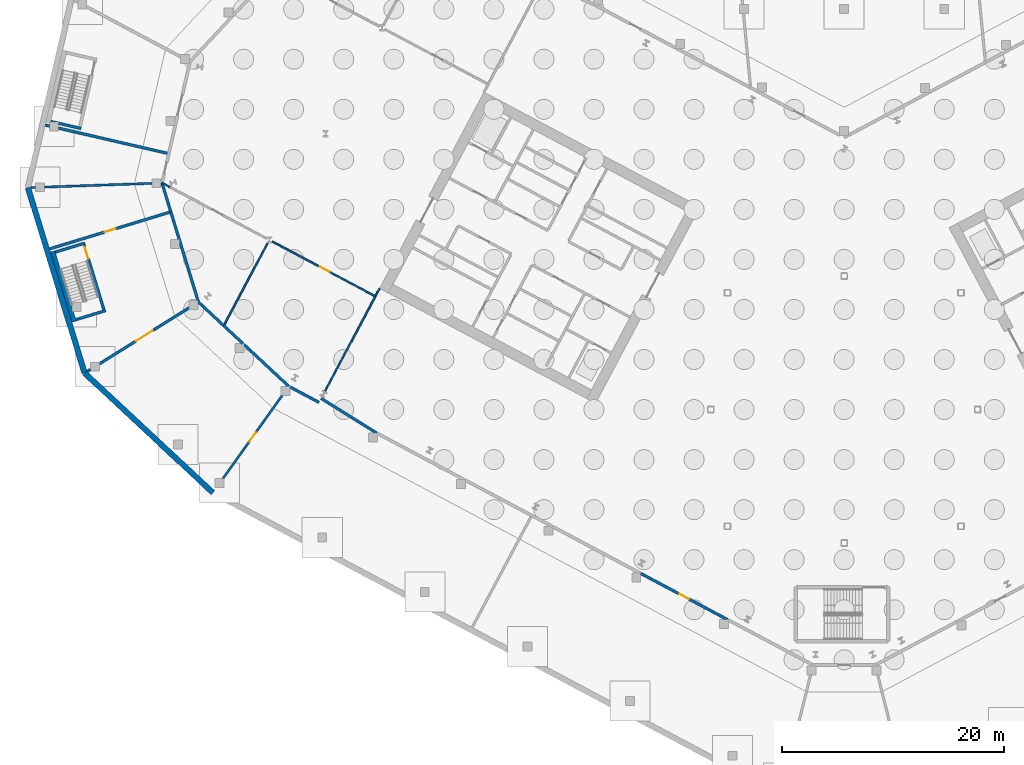
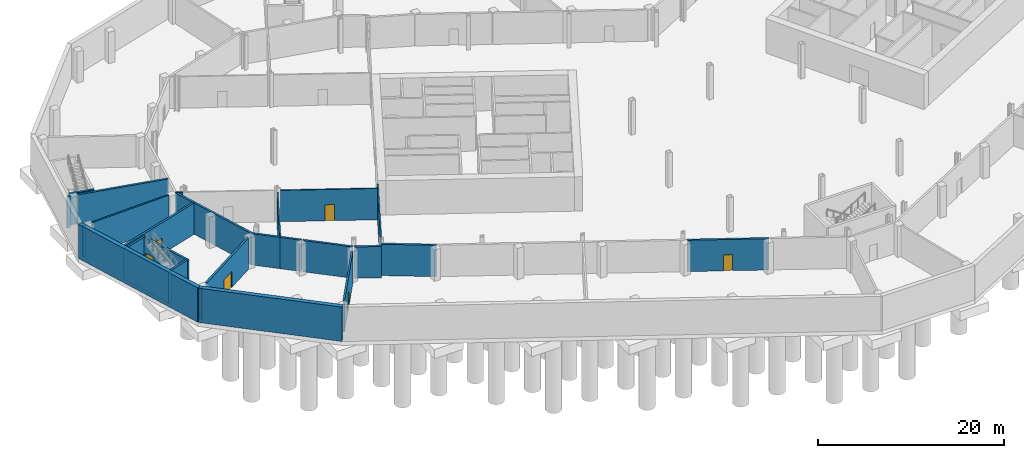
# One storey, part 9 of 29: 28 walls, 6 doors, 6 openings.
"""IFC4 building model written with IfcOpenShell, lengths in metres."""

from ifc_helpers import new_model, si_unit, direction, frame, frame_2d, origin, place, context, subcontext, project, spatial, rectangle, extrude, material, layer, layer_set, type_object, element, fill, save


model = new_model("IFC4")

# Units and contexts
model_context = context("Model", 3, precision=1e-05, world=origin(), true_north=direction((0.0, 1.0)))
body_context = subcontext(model_context, "Body", "Model", "MODEL_VIEW")
ifc_project = project(units=[si_unit("LENGTHUNIT", "METRE"), si_unit("AREAUNIT", "SQUARE_METRE"), si_unit("VOLUMEUNIT", "CUBIC_METRE"), si_unit("PLANEANGLEUNIT", "RADIAN"), si_unit("MASSUNIT", "GRAM", prefix="KILO")], contexts=[model_context])

# Site, building, storey
site_placement = place(None, origin())
site = spatial("IfcSite", under=ifc_project, at=site_placement, CompositionType="ELEMENT")
building_placement = place(site_placement, origin())
building = spatial("IfcBuilding", under=site, at=building_placement, Name="Cormorant Relay Tower", CompositionType="ELEMENT")
storey_placement = place(building_placement, frame((0.0, 0.0, -9.0)))
storey = spatial("IfcBuildingStorey", under=building, at=storey_placement, Name="B2", CompositionType="ELEMENT", Elevation=-9.0)

# Walls
ifc_material_1 = material(Name="Concrete masonry 20 MPa", Category="masonry")
ifc_layer_1 = layer(ifc_material_1, 0.25)
ifc_layer_set_1 = layer_set([ifc_layer_1], Name="Fire separation wall 250")
wall_type_1 = type_object("IfcWallType", Name="Fire separation wall 250", PredefinedType="SOLIDWALL", material=ifc_layer_set_1)
wall_1_placement = place(storey_placement, frame((-71.83837890625, 25.578857421875, 0.0), z_axis=(0.0, 0.0, 1.0), x_axis=(0.974472286972, -0.22450782152, 0.0)))
element("IfcWall", 1, at=wall_1_placement, inside=storey, type_object=wall_type_1, Name="Partition", PredefinedType="SOLIDWALL", context=body_context, shape_type="SweptSolid", body=[
    extrude(rectangle(XDim=0.405517578125, YDim=0.25, at=frame_2d((0.20263671875, 0.0))), origin(), (0.0, 0.0, 1.0), 4.10009765625),
])
wall_2_placement = place(storey_placement, frame((-70.64306640625, 25.302978515625, 0.0), z_axis=(0.0, 0.0, 1.0), x_axis=(0.974368540913, -0.224957654857, 0.0)))
element("IfcWall", 2, at=wall_2_placement, inside=storey, type_object=wall_type_1, Name="Partition", PredefinedType="SOLIDWALL", context=body_context, shape_type="SweptSolid", body=[
    extrude(rectangle(XDim=10.17333984375, YDim=0.25, at=frame_2d((5.086669921875, 0.0))), origin(), (0.0, 0.0, 1.0), 4.10009765625),
])

# Wall, opening, door
wall_3_placement = place(storey_placement, frame((-71.449462890625, 14.444580078125, 0.0), z_axis=(0.0, 0.0, 1.0), x_axis=(0.956305341867, 0.292369788309, 0.0)))
wall_3 = element("IfcWall", 3, at=wall_3_placement, inside=storey, type_object=wall_type_1, Name="Partition", PredefinedType="SOLIDWALL", context=body_context, shape_type="SweptSolid", body=[
    extrude(rectangle(XDim=11.39990234375, YDim=0.25, at=frame_2d((5.699951171875, 0.0))), origin(), (0.0, 0.0, 1.0), 4.10009765625),
])
opening_1_placement = place(wall_3_placement, frame((5.199951171875, 0.0, 0.0)))
opening_1 = element("IfcOpeningElement", 4, at=opening_1_placement, cuts=wall_3, Name="Opening PD1-016", PredefinedType="OPENING", context=body_context, shape_type="SweptSolid", body=[
    extrude(rectangle(XDim=1.0, YDim=2.10009765625, at=frame_2d((0.5, 1.050048828125))), frame((0.0, 0.135009765625, 0.0), z_axis=(0.0, -1.0, 0.0), x_axis=(1.0, 0.0, 0.0)), (0.0, 0.0, 1.0), 0.27001953125),
])
ifc_material_2 = material(Name="Steel door leaf", Category="steel")
door_type_1 = type_object("IfcDoorType", Name="Door single 1000", OperationType="SINGLE_SWING_LEFT", PredefinedType="DOOR", material=ifc_material_2)
door_1_placement = place(opening_1_placement, origin())
door_1 = element("IfcDoor", 5, at=door_1_placement, inside=storey, type_object=door_type_1, Name="Door", OperationType="SINGLE_SWING_RIGHT", OverallHeight=2.10009765625, OverallWidth=1.0, PredefinedType="DOOR", context=body_context, shape_type="SweptSolid", body=[
    extrude(rectangle(XDim=1.0, YDim=2.10009765625, at=frame_2d((0.5, 1.050048828125))), frame((0.0, 0.02490234375, 0.0), z_axis=(0.0, -1.0, 0.0), x_axis=(1.0, 0.0, 0.0)), (0.0, 0.0, 1.0), 0.050048828125),
])
fill(opening_1, door_1)

# Walls
wall_4_placement = place(storey_placement, frame((-60.54931640625, 17.783447265625, 0.0), z_axis=(0.0, 0.0, 1.0), x_axis=(-0.291634808329, 0.956529737421, 0.0)))
element("IfcWall", 6, at=wall_4_placement, inside=storey, type_object=wall_type_1, Name="Partition", PredefinedType="SOLIDWALL", context=body_context, shape_type="SweptSolid", body=[
    extrude(rectangle(XDim=2.709716796875, YDim=0.25, at=frame_2d((1.35498046875, 0.0))), origin(), (0.0, 0.0, 1.0), 4.10009765625),
])
wall_5_placement = place(storey_placement, frame((-58.0654296875, 9.666015625, 0.0), z_axis=(0.0, 0.0, 1.0), x_axis=(-0.292613894095, 0.956230677704, 0.0)))
element("IfcWall", 7, at=wall_5_placement, inside=storey, type_object=wall_type_1, Name="Partition", PredefinedType="SOLIDWALL", context=body_context, shape_type="SweptSolid", body=[
    extrude(rectangle(XDim=8.487060546875, YDim=0.25, at=frame_2d((4.24365234375, 0.0))), origin(), (0.0, 0.0, 1.0), 4.10009765625),
])
wall_6_placement = place(storey_placement, frame((-68.0517578125, 3.430419921875, 0.0), z_axis=(0.0, 0.0, 1.0), x_axis=(0.847914279888, 0.530133354886, 0.0)))
element("IfcWall", 8, at=wall_6_placement, inside=storey, type_object=wall_type_1, Name="Partition", PredefinedType="SOLIDWALL", context=body_context, shape_type="SweptSolid", body=[
    extrude(rectangle(XDim=0.326416015625, YDim=0.25, at=frame_2d((0.1630859375, 0.0))), origin(), (0.0, 0.0, 1.0), 4.10009765625),
])

# Wall, opening, door
wall_7_placement = place(storey_placement, frame((-66.97509765625, 4.103271484375, 0.0), z_axis=(0.0, 0.0, 1.0), x_axis=(0.848048758951, 0.529918203539, 0.0)))
wall_7 = element("IfcWall", 9, at=wall_7_placement, inside=storey, type_object=wall_type_1, Name="Partition", PredefinedType="SOLIDWALL", context=body_context, shape_type="SweptSolid", body=[
    extrude(rectangle(XDim=9.513671875, YDim=0.25, at=frame_2d((4.7568359375, 0.0))), origin(), (0.0, 0.0, 1.0), 4.10009765625),
])
opening_2_placement = place(wall_7_placement, frame((3.85693359375, 0.0, 0.0)))
opening_2 = element("IfcOpeningElement", 10, at=opening_2_placement, cuts=wall_7, Name="Opening PD3-004", PredefinedType="OPENING", context=body_context, shape_type="SweptSolid", body=[
    extrude(rectangle(XDim=1.800048828125, YDim=2.10009765625, at=frame_2d((0.89990234375, 1.050048828125))), frame((0.0, 0.135009765625, 0.0), z_axis=(0.0, -1.0, 0.0), x_axis=(1.0, 0.0, 0.0)), (0.0, 0.0, 1.0), 0.27001953125),
])
ifc_material_3 = material(Name="Steel door leaf", Category="steel")
door_type_2 = type_object("IfcDoorType", Name="Door double 1800", OperationType="DOUBLE_DOOR_SINGLE_SWING", PredefinedType="DOOR", material=ifc_material_3)
door_2_placement = place(opening_2_placement, origin())
door_2 = element("IfcDoor", 11, at=door_2_placement, inside=storey, type_object=door_type_2, Name="Door", OperationType="DOUBLE_DOOR_SINGLE_SWING", OverallHeight=2.10009765625, OverallWidth=1.800048828125, PredefinedType="DOOR", context=body_context, shape_type="SweptSolid", body=[
    extrude(rectangle(XDim=1.800048828125, YDim=2.10009765625, at=frame_2d((0.89990234375, 1.050048828125))), frame((0.0, 0.02490234375, 0.0), z_axis=(0.0, -1.0, 0.0), x_axis=(1.0, 0.0, 0.0)), (0.0, 0.0, 1.0), 0.050048828125),
])
fill(opening_2, door_2)

# Walls
wall_8_placement = place(storey_placement, frame((-47.224365234375, 0.64599609375, 0.0), z_axis=(0.0, 0.0, 1.0), x_axis=(-0.882766080441, 0.469812778905, 0.0)))
element("IfcWall", 12, at=wall_8_placement, inside=storey, type_object=wall_type_1, Name="Partition", PredefinedType="SOLIDWALL", context=body_context, shape_type="SweptSolid", body=[
    extrude(rectangle(XDim=2.95849609375, YDim=0.25, at=frame_2d((1.479248046875, 0.0))), origin(), (0.0, 0.0, 1.0), 4.10009765625),
])
wall_9_placement = place(storey_placement, frame((-42.037109375, -2.112060546875, 0.0), z_axis=(0.0, 0.0, 1.0), x_axis=(-0.848449825707, 0.529275819642, 0.0)))
element("IfcWall", 13, at=wall_9_placement, inside=storey, type_object=wall_type_1, Name="Partition", PredefinedType="SOLIDWALL", context=body_context, shape_type="SweptSolid", body=[
    extrude(rectangle(XDim=5.88916015625, YDim=0.25, at=frame_2d((2.944580078125, 0.0))), origin(), (0.0, 0.0, 1.0), 4.10009765625),
])

# Wall, opening, door
wall_10_placement = place(storey_placement, frame((-10.49267578125, -18.883056640625, 0.0), z_axis=(0.0, 0.0, 1.0), x_axis=(-0.882973285467, 0.469423238828, 0.0)))
wall_10 = element("IfcWall", 14, at=wall_10_placement, inside=storey, type_object=wall_type_1, Name="Partition", PredefinedType="SOLIDWALL", context=body_context, shape_type="SweptSolid", body=[
    extrude(rectangle(XDim=8.835205078125, YDim=0.25, at=frame_2d((4.41748046875, 0.0))), origin(), (0.0, 0.0, 1.0), 4.10009765625),
])
opening_3_placement = place(wall_10_placement, frame((3.91796875, 0.0, 0.0)))
opening_3 = element("IfcOpeningElement", 15, at=opening_3_placement, cuts=wall_10, Name="Opening PD1-006", PredefinedType="OPENING", context=body_context, shape_type="SweptSolid", body=[
    extrude(rectangle(XDim=1.0, YDim=2.10009765625, at=frame_2d((0.5, 1.050048828125))), frame((0.0, 0.135009765625, 0.0), z_axis=(0.0, -1.0, 0.0), x_axis=(1.0, 0.0, 0.0)), (0.0, 0.0, 1.0), 0.27001953125),
])
door_3_placement = place(opening_3_placement, origin())
door_3 = element("IfcDoor", 16, at=door_3_placement, inside=storey, type_object=door_type_1, Name="Door", OperationType="SINGLE_SWING_LEFT", OverallHeight=2.10009765625, OverallWidth=1.0, PredefinedType="DOOR", context=body_context, shape_type="SweptSolid", body=[
    extrude(rectangle(XDim=1.0, YDim=2.10009765625, at=frame_2d((0.5, 1.050048828125))), frame((0.0, 0.02490234375, 0.0), z_axis=(0.0, -1.0, 0.0), x_axis=(1.0, 0.0, 0.0)), (0.0, 0.0, 1.0), 0.050048828125),
])
fill(opening_3, door_3)

# Walls
wall_11_placement = place(storey_placement, frame((-55.78466796875, 7.5390625, 0.0), z_axis=(0.0, 0.0, 1.0), x_axis=(0.731373339026, -0.681977300914, 0.0)))
element("IfcWall", 17, at=wall_11_placement, inside=storey, type_object=wall_type_1, Name="Partition", PredefinedType="SOLIDWALL", context=body_context, shape_type="SweptSolid", body=[
    extrude(rectangle(XDim=2.34765625, YDim=0.25, at=frame_2d((1.173828125, 0.0))), origin(), (0.0, 0.0, 1.0), 4.10009765625),
])
wall_12_placement = place(storey_placement, frame((-53.971923828125, 5.848876953125, 0.0), z_axis=(0.0, 0.0, 1.0), x_axis=(0.731317536597, -0.682037140239, 0.0)))
element("IfcWall", 18, at=wall_12_placement, inside=storey, type_object=wall_type_1, Name="Partition", PredefinedType="SOLIDWALL", context=body_context, shape_type="SweptSolid", body=[
    extrude(rectangle(XDim=5.509033203125, YDim=0.25, at=frame_2d((2.75439453125, 0.0))), origin(), (0.0, 0.0, 1.0), 4.10009765625),
])
wall_13_placement = place(storey_placement, frame((-58.068359375, 9.668701171875, 0.0), z_axis=(0.0, 0.0, 1.0), x_axis=(0.731356961262, -0.681994864507, 0.0)))
element("IfcWall", 19, at=wall_13_placement, inside=storey, type_object=wall_type_1, Name="Partition", PredefinedType="SOLIDWALL", context=body_context, shape_type="SweptSolid", body=[
    extrude(rectangle(XDim=3.120849609375, YDim=0.25, at=frame_2d((1.560546875, 0.0))), origin(), (0.0, 0.0, 1.0), 4.10009765625),
])
for number, where, z_axis, x_axis, name in (
    (20, (-71.35302734375, 25.903076171875, 0.0), (0.0, 0.0, 1.0), (0.974369148124, -0.224955024802, 0.0), "Stair enclosure wall"),
    (21, (-70.942626953125, 14.1552734375, 0.0), (0.0, 0.0, 1.0), (0.95631095062, 0.292351442144, 0.0), "Stair enclosure wall"),
    (22, (-69.086181640625, 8.08251953125, 0.0), (0.0, 0.0, 1.0), (0.956286571153, 0.29243117794, 0.0), "Stair enclosure wall"),
):
    element("IfcWall", number, at=place(storey_placement, frame(where, z_axis=z_axis, x_axis=x_axis)), inside=storey, type_object=wall_type_1, Name=name, PredefinedType="SOLIDWALL", context=body_context, shape_type="SweptSolid", body=[
        extrude(rectangle(XDim=2.800048828125, YDim=0.25, at=frame_2d((1.39990234375, 0.0))), origin(), (0.0, 0.0, 1.0), 4.10009765625),
    ])

# Wall, opening, door
wall_14_placement = place(storey_placement, frame((-68.421142578125, 15.056884765625, 0.0), z_axis=(0.0, 0.0, 1.0), x_axis=(0.292369833763, -0.956305327971, 0.0)))
wall_14 = element("IfcWall", 23, at=wall_14_placement, inside=storey, type_object=wall_type_1, Name="Stair enclosure wall", PredefinedType="SOLIDWALL", context=body_context, shape_type="SweptSolid", body=[
    extrude(rectangle(XDim=6.60009765625, YDim=0.25, at=frame_2d((3.300048828125, 0.0))), origin(), (0.0, 0.0, 1.0), 4.10009765625),
])
opening_4_placement = place(wall_14_placement, frame((0.449951171875, 0.0, 0.0)))
opening_4 = element("IfcOpeningElement", 24, at=opening_4_placement, cuts=wall_14, Name="Opening PD10-004", PredefinedType="OPENING", context=body_context, shape_type="SweptSolid", body=[
    extrude(rectangle(XDim=1.10009765625, YDim=2.10009765625, at=frame_2d((0.550048828125, 1.050048828125))), frame((0.0, 0.135009765625, 0.0), z_axis=(0.0, -1.0, 0.0), x_axis=(1.0, 0.0, 0.0)), (0.0, 0.0, 1.0), 0.27001953125),
])
ifc_material_4 = material(Name="Steel fire door leaf", Category="steel")
door_type_3 = type_object("IfcDoorType", Name="Door stair 1100", OperationType="SINGLE_SWING_LEFT", PredefinedType="DOOR", material=ifc_material_4)
door_4_placement = place(opening_4_placement, origin())
door_4 = element("IfcDoor", 25, at=door_4_placement, inside=storey, type_object=door_type_3, Name="Stair door", OperationType="SINGLE_SWING_LEFT", OverallHeight=2.10009765625, OverallWidth=1.10009765625, PredefinedType="DOOR", context=body_context, shape_type="SweptSolid", body=[
    extrude(rectangle(XDim=1.10009765625, YDim=2.10009765625, at=frame_2d((0.550048828125, 1.050048828125))), frame((0.0, 0.02490234375, 0.0), z_axis=(0.0, -1.0, 0.0), x_axis=(1.0, 0.0, 0.0)), (0.0, 0.0, 1.0), 0.050048828125),
])
fill(opening_4, door_4)

ifc_material_5 = material(Name="Gypsum board on steel stud", Category="steel")
ifc_layer_2 = layer(ifc_material_5, 0.14990234375)
ifc_layer_set_2 = layer_set([ifc_layer_2], Name="Partition 150")
wall_type_2 = type_object("IfcWallType", Name="Partition 150", PredefinedType="PARTITIONING", material=ifc_layer_set_2)
wall_15_placement = place(storey_placement, frame((-51.427490234375, 15.11279296875, 0.0), z_axis=(0.0, 0.0, 1.0), x_axis=(0.882942303397, -0.469481510681, 0.0)))
wall_15 = element("IfcWall", 26, at=wall_15_placement, inside=storey, type_object=wall_type_2, Name="Partition", PredefinedType="PARTITIONING", context=body_context, shape_type="SweptSolid", body=[
    extrude(rectangle(XDim=10.5029296875, YDim=0.14990234375, at=frame_2d((5.25146484375, 0.0))), origin(), (0.0, 0.0, 1.0), 4.10009765625),
])
opening_5_placement = place(wall_15_placement, frame((4.82958984375, 0.0, 0.0)))
opening_5 = element("IfcOpeningElement", 27, at=opening_5_placement, cuts=wall_15, Name="Opening PD1-017", PredefinedType="OPENING", context=body_context, shape_type="SweptSolid", body=[
    extrude(rectangle(XDim=1.0, YDim=2.10009765625, at=frame_2d((0.5, 1.050048828125))), frame((0.0, 0.0849609375, 0.0), z_axis=(0.0, -1.0, 0.0), x_axis=(1.0, 0.0, 0.0)), (0.0, 0.0, 1.0), 0.169921875),
])
door_5_placement = place(opening_5_placement, frame((1.0, 0.0, 0.0), z_axis=(0.0, 0.0, 1.0), x_axis=(-1.0, 0.0, 0.0)))
door_5 = element("IfcDoor", 28, at=door_5_placement, inside=storey, type_object=door_type_1, Name="Door", OperationType="SINGLE_SWING_LEFT", OverallHeight=2.10009765625, OverallWidth=1.0, PredefinedType="DOOR", context=body_context, shape_type="SweptSolid", body=[
    extrude(rectangle(XDim=1.0, YDim=2.10009765625, at=frame_2d((0.5, 1.050048828125))), frame((0.0, 0.02490234375, 0.0), z_axis=(0.0, -1.0, 0.0), x_axis=(1.0, 0.0, 0.0)), (0.0, 0.0, 1.0), 0.050048828125),
])
fill(opening_5, door_5)

# Walls
wall_16_placement = place(storey_placement, frame((-61.338134765625, 20.38232421875, 0.0), z_axis=(0.0, 0.0, 1.0), x_axis=(0.882969363327, -0.4694306162, 0.0)))
element("IfcWall", 29, at=wall_16_placement, inside=storey, type_object=wall_type_2, Name="Partition", PredefinedType="PARTITIONING", context=body_context, shape_type="SweptSolid", body=[
    extrude(rectangle(XDim=0.79931640625, YDim=0.14990234375, at=frame_2d((0.399658203125, 0.0))), origin(), (0.0, 0.0, 1.0), 4.10009765625),
])
wall_17_placement = place(storey_placement, frame((-42.1513671875, 10.187255859375, 0.0), z_axis=(0.0, 0.0, 1.0), x_axis=(0.469582372655, 0.882888665287, 0.0)))
element("IfcWall", 30, at=wall_17_placement, inside=storey, type_object=wall_type_2, Name="Partition", PredefinedType="PARTITIONING", context=body_context, shape_type="SweptSolid", body=[
    extrude(rectangle(XDim=0.7939453125, YDim=0.14990234375, at=frame_2d((0.39697265625, 0.0))), origin(), (0.0, 0.0, 1.0), 4.10009765625),
])
wall_18_placement = place(storey_placement, frame((-51.858154296875, 14.93603515625, 0.0), z_axis=(0.0, 0.0, 1.0), x_axis=(-0.469478534594, -0.882943885848, 0.0)))
element("IfcWall", 31, at=wall_18_placement, inside=storey, type_object=wall_type_2, Name="Partition", PredefinedType="PARTITIONING", context=body_context, shape_type="SweptSolid", body=[
    extrude(rectangle(XDim=8.372802734375, YDim=0.14990234375, at=frame_2d((4.1865234375, 0.0))), origin(), (0.0, 0.0, 1.0), 4.10009765625),
])
wall_19_placement = place(storey_placement, frame((-46.700439453125, 1.631591796875, 0.0), z_axis=(0.0, 0.0, 1.0), x_axis=(0.46948131983, 0.882942404878, 0.0)))
element("IfcWall", 32, at=wall_19_placement, inside=storey, type_object=wall_type_2, Name="Partition", PredefinedType="PARTITIONING", context=body_context, shape_type="SweptSolid", body=[
    extrude(rectangle(XDim=9.68798828125, YDim=0.14990234375, at=frame_2d((4.843994140625, 0.0))), origin(), (0.0, 0.0, 1.0), 4.10009765625),
])
ifc_material_6 = material(Name="Concrete masonry 20 MPa", Category="masonry")
ifc_layer_3 = layer(ifc_material_6, 0.199951171875)
ifc_layer_set_3 = layer_set([ifc_layer_3], Name="Plant room wall 200")
wall_type_3 = type_object("IfcWallType", Name="Plant room wall 200", PredefinedType="PARTITIONING", material=ifc_layer_set_3)
wall_20_placement = place(storey_placement, frame((-73.10888671875, 19.960693359375, 0.0), z_axis=(0.0, 0.0, 1.0), x_axis=(0.999398021309, 0.034692866757, 0.0)))
element("IfcWall", 33, at=wall_20_placement, inside=storey, type_object=wall_type_3, Name="Partition", PredefinedType="PARTITIONING", context=body_context, shape_type="SweptSolid", body=[
    extrude(rectangle(XDim=0.401123046875, YDim=0.199951171875, at=frame_2d((0.20068359375, 0.0))), origin(), (0.0, 0.0, 1.0), 4.10009765625),
])
wall_21_placement = place(storey_placement, frame((-71.907958984375, 20.002685546875, 0.0), z_axis=(0.0, 0.0, 1.0), x_axis=(0.999391072451, 0.034892467742, 0.0)))
element("IfcWall", 34, at=wall_21_placement, inside=storey, type_object=wall_type_3, Name="Partition", PredefinedType="PARTITIONING", context=body_context, shape_type="SweptSolid", body=[
    extrude(rectangle(XDim=9.65576171875, YDim=0.199951171875, at=frame_2d((4.827880859375, 0.0))), origin(), (0.0, 0.0, 1.0), 4.10009765625),
])

# Wall, opening, door
wall_22_placement = place(storey_placement, frame((-50.521240234375, 1.281005859375, 0.0), z_axis=(0.0, 0.0, 1.0), x_axis=(-0.580708624763, -0.814111474631, 0.0)))
wall_22 = element("IfcWall", 35, at=wall_22_placement, inside=storey, type_object=wall_type_3, Name="Partition", PredefinedType="PARTITIONING", context=body_context, shape_type="SweptSolid", body=[
    extrude(rectangle(XDim=9.203857421875, YDim=0.199951171875, at=frame_2d((4.60205078125, 0.0))), origin(), (0.0, 0.0, 1.0), 4.10009765625),
])
opening_6_placement = place(wall_22_placement, frame((4.10205078125, 0.0, 0.0)))
opening_6 = element("IfcOpeningElement", 36, at=opening_6_placement, cuts=wall_22, Name="Opening PD1-005", PredefinedType="OPENING", context=body_context, shape_type="SweptSolid", body=[
    extrude(rectangle(XDim=1.0, YDim=2.10009765625, at=frame_2d((0.5, 1.050048828125))), frame((0.0, 0.10986328125, 0.0), z_axis=(0.0, -1.0, 0.0), x_axis=(1.0, 0.0, 0.0)), (0.0, 0.0, 1.0), 0.219970703125),
])
door_6_placement = place(opening_6_placement, frame((1.0, 0.0, 0.0), z_axis=(0.0, 0.0, 1.0), x_axis=(-1.0, 0.0, 0.0)))
door_6 = element("IfcDoor", 37, at=door_6_placement, inside=storey, type_object=door_type_1, Name="Door", OperationType="SINGLE_SWING_RIGHT", OverallHeight=2.10009765625, OverallWidth=1.0, PredefinedType="DOOR", context=body_context, shape_type="SweptSolid", body=[
    extrude(rectangle(XDim=1.0, YDim=2.10009765625, at=frame_2d((0.5, 1.050048828125))), frame((0.0, 0.02490234375, 0.0), z_axis=(0.0, -1.0, 0.0), x_axis=(1.0, 0.0, 0.0)), (0.0, 0.0, 1.0), 0.050048828125),
])
fill(opening_6, door_6)

# Walls
ifc_material_7 = material(Name="Concrete 40 MPa", Category="concrete")
ifc_layer_4 = layer(ifc_material_7, 0.5)
ifc_layer_set_4 = layer_set([ifc_layer_4], Name="Retaining wall 500")
wall_type_4 = type_object("IfcWallType", Name="Retaining wall 500", PredefinedType="SOLIDWALL", material=ifc_layer_set_4)
wall_23_placement = place(storey_placement, frame((-73.394287109375, 19.95068359375, 0.0), z_axis=(0.0, 0.0, 1.0), x_axis=(0.292377196349, -0.956303076987, 0.0)))
element("IfcWall", 38, at=wall_23_placement, inside=storey, type_object=wall_type_4, Name="Retaining wall", PredefinedType="SOLIDWALL", context=body_context, shape_type="SweptSolid", body=[
    extrude(rectangle(XDim=17.435302734375, YDim=0.5, at=frame_2d((8.7177734375, 0.0))), origin(), (0.0, 0.0, 1.0), 4.5),
])
wall_24_placement = place(storey_placement, frame((-68.296630859375, 3.27734375, 0.0), z_axis=(0.0, 0.0, 1.0), x_axis=(0.73135285176, -0.681999271424, 0.0)))
element("IfcWall", 39, at=wall_24_placement, inside=storey, type_object=wall_type_4, Name="Retaining wall", PredefinedType="SOLIDWALL", context=body_context, shape_type="SweptSolid", body=[
    extrude(rectangle(XDim=15.765380859375, YDim=0.5, at=frame_2d((7.8828125, 0.0))), origin(), (0.0, 0.0, 1.0), 4.5),
])
ifc_material_8 = material(Name="Concrete 40 MPa", Category="concrete")
ifc_layer_5 = layer(ifc_material_8, 0.39990234375)
ifc_layer_set_5 = layer_set([ifc_layer_5], Name="Stair furring wall 400")
wall_type_5 = type_object("IfcWallType", Name="Stair furring wall 400", PredefinedType="SOLIDWALL", material=ifc_layer_set_5)
wall_25_placement = place(storey_placement, frame((-71.17041015625, 14.21630859375, 0.0), z_axis=(0.0, 0.0, 1.0), x_axis=(0.292369833763, -0.956305327971, 0.0)))
element("IfcWall", 40, at=wall_25_placement, inside=storey, type_object=wall_type_5, Name="Stair furring wall", PredefinedType="SOLIDWALL", context=body_context, shape_type="SweptSolid", body=[
    extrude(rectangle(XDim=6.60009765625, YDim=0.39990234375, at=frame_2d((3.300048828125, 0.0))), origin(), (0.0, 0.0, 1.0), 4.10009765625),
])

save(model, "model.ifc")
